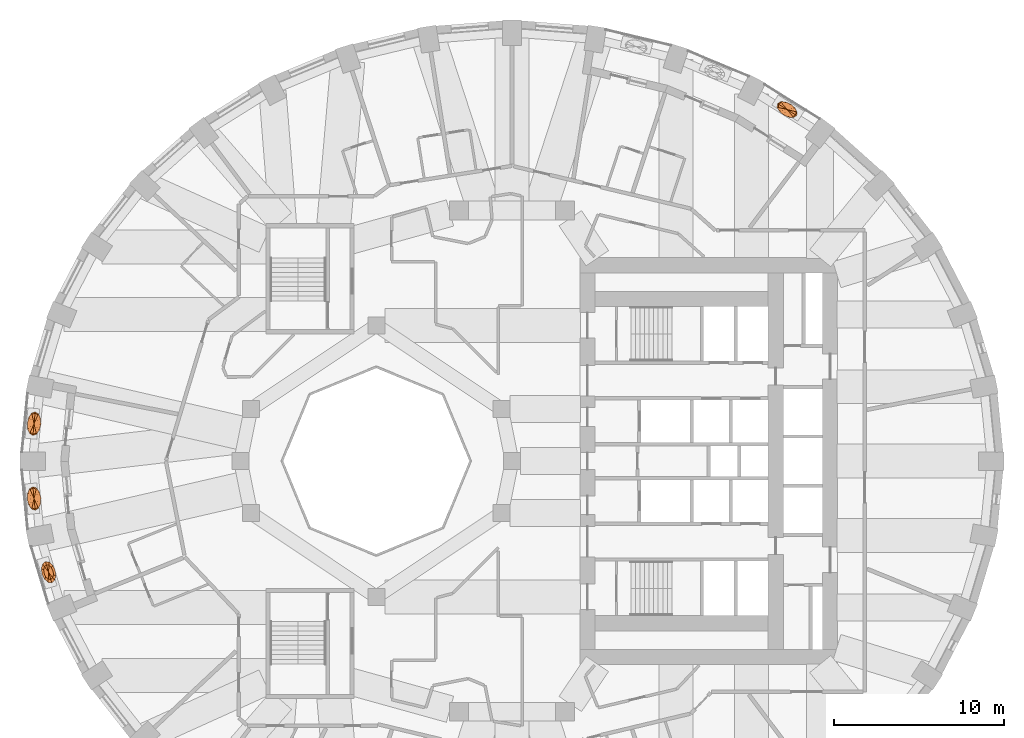
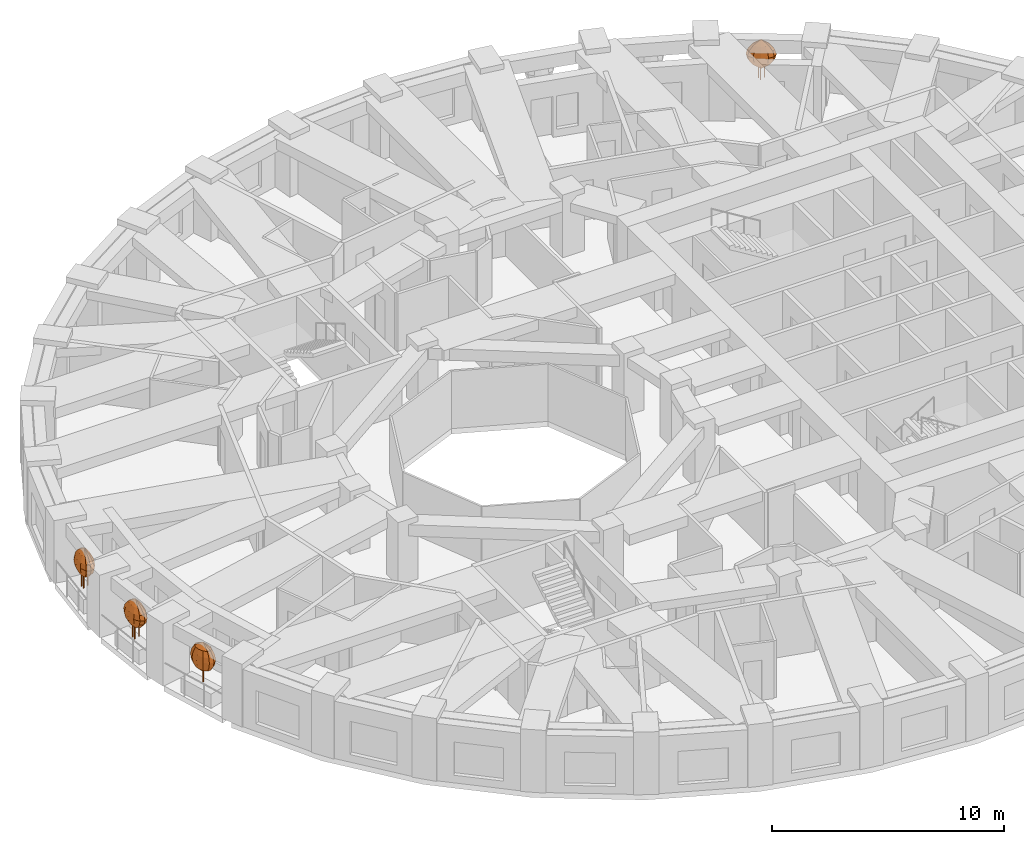
# One storey, part 13 of 14: 4 geographic elements.
"""IFC4 building model written with IfcOpenShell, lengths in metres."""

from ifc_helpers import new_model, si_unit, direction, frame, origin, place, context, subcontext, project, spatial, faceted_brep, material, constituent, constituent_set, type_object, element, save


model = new_model("IFC4")

# Units and contexts
model_context = context("Model", 3, precision=1e-05, world=origin(), true_north=direction((0.0, 1.0)))
body_context = subcontext(model_context, "Body", "Model", "MODEL_VIEW")
ifc_project = project(units=[si_unit("LENGTHUNIT", "METRE"), si_unit("AREAUNIT", "SQUARE_METRE"), si_unit("VOLUMEUNIT", "CUBIC_METRE"), si_unit("PLANEANGLEUNIT", "RADIAN"), si_unit("MASSUNIT", "GRAM", prefix="KILO")], contexts=[model_context])

# Site, building, storey
site_placement = place(None, origin())
site = spatial("IfcSite", under=ifc_project, at=site_placement, CompositionType="ELEMENT")
building_placement = place(site_placement, origin())
building = spatial("IfcBuilding", under=site, at=building_placement, Name="Taillehof Tower", CompositionType="ELEMENT")
storey_placement = place(building_placement, frame((0.0, 0.0, 25.0)))
storey = spatial("IfcBuildingStorey", under=building, at=storey_placement, Name="L05", CompositionType="ELEMENT", Elevation=25.0)

# Geographic elements
ifc_material_1 = material(Name="Tree bark", Category="timber")
ifc_constituent_1 = constituent(ifc_material_1, Name="Trunk", Category="timber")
ifc_material_2 = material(Name="Tree foliage")
ifc_constituent_2 = constituent(ifc_material_2, Name="Crown")
ifc_constituent_set_1 = constituent_set(constituents=[ifc_constituent_1, ifc_constituent_2], Name="Tree TR1 Columnar hornbeam")
geographic_element_type_1 = type_object("IfcGeographicElementType", Name="Tree TR1 Columnar hornbeam", PredefinedType="USERDEFINED", material=ifc_constituent_set_1)
geographic_element_1_placement = place(storey_placement, frame((-27.314697265625, -6.548583984375, 0.75)))
element("IfcGeographicElement", 1, at=geographic_element_1_placement, inside=storey, type_object=geographic_element_type_1, Name="Tree TR1 Columnar hornbeam", ObjectType="TREE", PredefinedType="USERDEFINED", context=body_context, shape_type="Brep", body=[
    faceted_brep([(0.030029296875, 0.0, 0.0), (0.021240234375, 0.021240234375, 0.0), (0.021240234375, 0.021240234375, 1.092529296875), (0.030029296875, 0.0, 1.092529296875), (0.0, 0.030029296875, 0.0), (0.0, 0.030029296875, 1.092529296875), (-0.021240234375, 0.021240234375, 0.0), (-0.021240234375, 0.021240234375, 1.092529296875), (-0.030029296875, 0.0, 0.0), (-0.030029296875, 0.0, 1.092529296875), (-0.021240234375, -0.021240234375, 0.0), (-0.021240234375, -0.021240234375, 1.092529296875), (0.0, -0.030029296875, 0.0), (0.0, -0.030029296875, 1.092529296875), (0.021240234375, -0.021240234375, 0.0), (0.021240234375, -0.021240234375, 1.092529296875)], [[[0, 1, 2, 3]], [[1, 4, 5, 2]], [[4, 6, 7, 5]], [[6, 8, 9, 7]], [[8, 10, 11, 9]], [[10, 12, 13, 11]], [[12, 14, 15, 13]], [[14, 0, 3, 15]], [[14, 12, 10, 8, 6, 4, 1, 0]], [[3, 2, 5, 7, 9, 11, 13, 15]]]),
    faceted_brep([(0.0, 0.0, 0.550048828125), (0.2412109375, -0.3291015625, 0.808349609375), (0.12744140625, -0.42529296875, 0.808349609375), (0.290283203125, -0.144775390625, 0.808349609375), (0.26171875, 0.078369140625, 0.808349609375), (0.162841796875, 0.280517578125, 0.808349609375), (0.0205078125, 0.407470703125, 0.808349609375), (-0.12744140625, 0.42529296875, 0.808349609375), (-0.2412109375, 0.3291015625, 0.808349609375), (-0.290283203125, 0.144775390625, 0.808349609375), (-0.26171875, -0.078369140625, 0.808349609375), (-0.162841796875, -0.280517578125, 0.808349609375), (-0.0205078125, -0.407470703125, 0.808349609375), (0.326416015625, -0.445068359375, 1.066650390625), (0.17236328125, -0.5751953125, 1.066650390625), (0.392822265625, -0.19580078125, 1.066650390625), (0.35400390625, 0.106201171875, 1.066650390625), (0.220458984375, 0.379638671875, 1.066650390625), (0.027587890625, 0.55126953125, 1.066650390625), (-0.17236328125, 0.5751953125, 1.066650390625), (-0.326416015625, 0.445068359375, 1.066650390625), (-0.392822265625, 0.19580078125, 1.066650390625), (-0.35400390625, -0.106201171875, 1.066650390625), (-0.220458984375, -0.379638671875, 1.066650390625), (-0.027587890625, -0.55126953125, 1.066650390625), (0.353271484375, -0.481689453125, 1.324951171875), (0.1865234375, -0.62255859375, 1.324951171875), (0.425048828125, -0.2119140625, 1.324951171875), (0.383056640625, 0.11474609375, 1.324951171875), (0.238525390625, 0.410888671875, 1.324951171875), (0.030029296875, 0.5966796875, 1.324951171875), (-0.1865234375, 0.62255859375, 1.324951171875), (-0.353271484375, 0.481689453125, 1.324951171875), (-0.425048828125, 0.2119140625, 1.324951171875), (-0.383056640625, -0.11474609375, 1.324951171875), (-0.238525390625, -0.410888671875, 1.324951171875), (-0.030029296875, -0.5966796875, 1.324951171875), (0.326416015625, -0.445068359375, 1.583251953125), (0.17236328125, -0.5751953125, 1.583251953125), (0.392822265625, -0.19580078125, 1.583251953125), (0.35400390625, 0.106201171875, 1.583251953125), (0.220458984375, 0.379638671875, 1.583251953125), (0.027587890625, 0.55126953125, 1.583251953125), (-0.17236328125, 0.5751953125, 1.583251953125), (-0.326416015625, 0.445068359375, 1.583251953125), (-0.392822265625, 0.19580078125, 1.583251953125), (-0.35400390625, -0.106201171875, 1.583251953125), (-0.220458984375, -0.379638671875, 1.583251953125), (-0.027587890625, -0.55126953125, 1.583251953125), (0.2412109375, -0.3291015625, 1.841552734375), (0.12744140625, -0.42529296875, 1.841552734375), (0.290283203125, -0.144775390625, 1.841552734375), (0.26171875, 0.078369140625, 1.841552734375), (0.162841796875, 0.280517578125, 1.841552734375), (0.0205078125, 0.407470703125, 1.841552734375), (-0.12744140625, 0.42529296875, 1.841552734375), (-0.2412109375, 0.3291015625, 1.841552734375), (-0.290283203125, 0.144775390625, 1.841552734375), (-0.26171875, -0.078369140625, 1.841552734375), (-0.162841796875, -0.280517578125, 1.841552734375), (-0.0205078125, -0.407470703125, 1.841552734375), (0.0, 0.0, 2.10009765625)], [[[0, 1, 2]], [[0, 3, 1]], [[0, 4, 3]], [[0, 5, 4]], [[0, 6, 5]], [[0, 7, 6]], [[0, 8, 7]], [[0, 9, 8]], [[0, 10, 9]], [[0, 11, 10]], [[0, 12, 11]], [[0, 2, 12]], [[2, 1, 13, 14]], [[1, 3, 15, 13]], [[3, 4, 16, 15]], [[4, 5, 17, 16]], [[5, 6, 18, 17]], [[6, 7, 19, 18]], [[7, 8, 20, 19]], [[8, 9, 21, 20]], [[9, 10, 22, 21]], [[10, 11, 23, 22]], [[11, 12, 24, 23]], [[12, 2, 14, 24]], [[14, 13, 25, 26]], [[13, 15, 27, 25]], [[15, 16, 28, 27]], [[16, 17, 29, 28]], [[17, 18, 30, 29]], [[18, 19, 31, 30]], [[19, 20, 32, 31]], [[20, 21, 33, 32]], [[21, 22, 34, 33]], [[22, 23, 35, 34]], [[23, 24, 36, 35]], [[24, 14, 26, 36]], [[26, 25, 37, 38]], [[25, 27, 39, 37]], [[27, 28, 40, 39]], [[28, 29, 41, 40]], [[29, 30, 42, 41]], [[30, 31, 43, 42]], [[31, 32, 44, 43]], [[32, 33, 45, 44]], [[33, 34, 46, 45]], [[34, 35, 47, 46]], [[35, 36, 48, 47]], [[36, 26, 38, 48]], [[38, 37, 49, 50]], [[37, 39, 51, 49]], [[39, 40, 52, 51]], [[40, 41, 53, 52]], [[41, 42, 54, 53]], [[42, 43, 55, 54]], [[43, 44, 56, 55]], [[44, 45, 57, 56]], [[45, 46, 58, 57]], [[46, 47, 59, 58]], [[47, 48, 60, 59]], [[48, 38, 50, 60]], [[50, 49, 61]], [[49, 51, 61]], [[51, 52, 61]], [[52, 53, 61]], [[53, 54, 61]], [[54, 55, 61]], [[55, 56, 61]], [[56, 57, 61]], [[57, 58, 61]], [[58, 59, 61]], [[59, 60, 61]], [[60, 50, 61]]]),
])
ifc_material_3 = material(Name="Tree bark", Category="timber")
ifc_constituent_3 = constituent(ifc_material_3, Name="Trunk", Category="timber")
ifc_material_4 = material(Name="Tree foliage")
ifc_constituent_4 = constituent(ifc_material_4, Name="Crown")
ifc_constituent_set_2 = constituent_set(constituents=[ifc_constituent_3, ifc_constituent_4], Name="Tree TR3 Multi-stem serviceberry")
geographic_element_type_2 = type_object("IfcGeographicElementType", Name="Tree TR3 Multi-stem serviceberry", PredefinedType="USERDEFINED", material=ifc_constituent_set_2)
geographic_element_2_placement = place(storey_placement, frame((16.2158203125, 20.720703125, 0.75)))
element("IfcGeographicElement", 2, at=geographic_element_2_placement, inside=storey, type_object=geographic_element_type_2, Name="Tree TR3 Multi-stem serviceberry", ObjectType="TREE", PredefinedType="USERDEFINED", context=body_context, shape_type="Brep", body=[
    faceted_brep([(0.195068359375, 0.0, 0.0), (0.186767578125, 0.0205078125, 0.0), (0.186767578125, 0.0205078125, 1.04248046875), (0.195068359375, 0.0, 1.04248046875), (0.166259765625, 0.02880859375, 0.0), (0.166259765625, 0.02880859375, 1.04248046875), (0.145751953125, 0.0205078125, 0.0), (0.145751953125, 0.0205078125, 1.04248046875), (0.137451171875, 0.0, 0.0), (0.137451171875, 0.0, 1.04248046875), (0.145751953125, -0.0205078125, 0.0), (0.145751953125, -0.0205078125, 1.04248046875), (0.166259765625, -0.02880859375, 0.0), (0.166259765625, -0.02880859375, 1.04248046875), (0.186767578125, -0.0205078125, 0.0), (0.186767578125, -0.0205078125, 1.04248046875)], [[[0, 1, 2, 3]], [[1, 4, 5, 2]], [[4, 6, 7, 5]], [[6, 8, 9, 7]], [[8, 10, 11, 9]], [[10, 12, 13, 11]], [[12, 14, 15, 13]], [[14, 0, 3, 15]], [[14, 12, 10, 8, 6, 4, 1, 0]], [[3, 2, 5, 7, 9, 11, 13, 15]]]),
    faceted_brep([(-0.05419921875, 0.082275390625, 0.0), (-0.062744140625, 0.102783203125, 0.0), (-0.062744140625, 0.102783203125, 1.04248046875), (-0.05419921875, 0.082275390625, 1.04248046875), (-0.0830078125, 0.111083984375, 0.0), (-0.0830078125, 0.111083984375, 1.04248046875), (-0.103515625, 0.102783203125, 0.0), (-0.103515625, 0.102783203125, 1.04248046875), (-0.112060546875, 0.082275390625, 0.0), (-0.112060546875, 0.082275390625, 1.04248046875), (-0.103515625, 0.061767578125, 0.0), (-0.103515625, 0.061767578125, 1.04248046875), (-0.0830078125, 0.053466796875, 0.0), (-0.0830078125, 0.053466796875, 1.04248046875), (-0.062744140625, 0.061767578125, 0.0), (-0.062744140625, 0.061767578125, 1.04248046875)], [[[0, 1, 2, 3]], [[1, 4, 5, 2]], [[4, 6, 7, 5]], [[6, 8, 9, 7]], [[8, 10, 11, 9]], [[10, 12, 13, 11]], [[12, 14, 15, 13]], [[14, 0, 3, 15]], [[14, 12, 10, 8, 6, 4, 1, 0]], [[3, 2, 5, 7, 9, 11, 13, 15]]]),
    faceted_brep([(-0.05419921875, -0.082275390625, 0.0), (-0.062744140625, -0.061767578125, 0.0), (-0.062744140625, -0.061767578125, 1.04248046875), (-0.05419921875, -0.082275390625, 1.04248046875), (-0.0830078125, -0.053466796875, 0.0), (-0.0830078125, -0.053466796875, 1.04248046875), (-0.103515625, -0.061767578125, 0.0), (-0.103515625, -0.061767578125, 1.04248046875), (-0.112060546875, -0.082275390625, 0.0), (-0.112060546875, -0.082275390625, 1.04248046875), (-0.103515625, -0.102783203125, 0.0), (-0.103515625, -0.102783203125, 1.04248046875), (-0.0830078125, -0.111083984375, 0.0), (-0.0830078125, -0.111083984375, 1.04248046875), (-0.062744140625, -0.102783203125, 0.0), (-0.062744140625, -0.102783203125, 1.04248046875)], [[[0, 1, 2, 3]], [[1, 4, 5, 2]], [[4, 6, 7, 5]], [[6, 8, 9, 7]], [[8, 10, 11, 9]], [[10, 12, 13, 11]], [[12, 14, 15, 13]], [[14, 0, 3, 15]], [[14, 12, 10, 8, 6, 4, 1, 0]], [[3, 2, 5, 7, 9, 11, 13, 15]]]),
    faceted_brep([(0.0, 0.0, 0.5), (-0.33837890625, 0.0830078125, 0.75830078125), (-0.32373046875, 0.20263671875, 0.75830078125), (-0.26220703125, -0.058837890625, 0.75830078125), (-0.11572265625, -0.18505859375, 0.75830078125), (0.0615234375, -0.261474609375, 0.75830078125), (0.222412109375, -0.26806640625, 0.75830078125), (0.32373046875, -0.20263671875, 0.75830078125), (0.33837890625, -0.0830078125, 0.75830078125), (0.26220703125, 0.058837890625, 0.75830078125), (0.11572265625, 0.18505859375, 0.75830078125), (-0.0615234375, 0.261474609375, 0.75830078125), (-0.222412109375, 0.26806640625, 0.75830078125), (-0.52490234375, 0.12890625, 1.0166015625), (-0.50244140625, 0.314453125, 1.0166015625), (-0.40673828125, -0.09130859375, 1.0166015625), (-0.1796875, -0.287109375, 1.0166015625), (0.095703125, -0.40576171875, 1.0166015625), (0.34521484375, -0.415771484375, 1.0166015625), (0.50244140625, -0.314453125, 1.0166015625), (0.52490234375, -0.12890625, 1.0166015625), (0.40673828125, 0.09130859375, 1.0166015625), (0.1796875, 0.287109375, 1.0166015625), (-0.095703125, 0.40576171875, 1.0166015625), (-0.34521484375, 0.415771484375, 1.0166015625), (-0.5888671875, 0.14453125, 1.27490234375), (-0.563720703125, 0.352783203125, 1.27490234375), (-0.45654296875, -0.1025390625, 1.27490234375), (-0.20166015625, -0.322021484375, 1.27490234375), (0.107177734375, -0.455322265625, 1.27490234375), (0.387451171875, -0.466552734375, 1.27490234375), (0.563720703125, -0.352783203125, 1.27490234375), (0.5888671875, -0.14453125, 1.27490234375), (0.45654296875, 0.1025390625, 1.27490234375), (0.20166015625, 0.322021484375, 1.27490234375), (-0.107177734375, 0.455322265625, 1.27490234375), (-0.387451171875, 0.466552734375, 1.27490234375), (-0.52490234375, 0.12890625, 1.533447265625), (-0.50244140625, 0.314453125, 1.533447265625), (-0.40673828125, -0.09130859375, 1.533447265625), (-0.1796875, -0.287109375, 1.533447265625), (0.095703125, -0.40576171875, 1.533447265625), (0.34521484375, -0.415771484375, 1.533447265625), (0.50244140625, -0.314453125, 1.533447265625), (0.52490234375, -0.12890625, 1.533447265625), (0.40673828125, 0.09130859375, 1.533447265625), (0.1796875, 0.287109375, 1.533447265625), (-0.095703125, 0.40576171875, 1.533447265625), (-0.34521484375, 0.415771484375, 1.533447265625), (-0.33837890625, 0.0830078125, 1.791748046875), (-0.32373046875, 0.20263671875, 1.791748046875), (-0.26220703125, -0.058837890625, 1.791748046875), (-0.11572265625, -0.18505859375, 1.791748046875), (0.0615234375, -0.261474609375, 1.791748046875), (0.222412109375, -0.26806640625, 1.791748046875), (0.32373046875, -0.20263671875, 1.791748046875), (0.33837890625, -0.0830078125, 1.791748046875), (0.26220703125, 0.058837890625, 1.791748046875), (0.11572265625, 0.18505859375, 1.791748046875), (-0.0615234375, 0.261474609375, 1.791748046875), (-0.222412109375, 0.26806640625, 1.791748046875), (0.0, 0.0, 2.050048828125)], [[[0, 1, 2]], [[0, 3, 1]], [[0, 4, 3]], [[0, 5, 4]], [[0, 6, 5]], [[0, 7, 6]], [[0, 8, 7]], [[0, 9, 8]], [[0, 10, 9]], [[0, 11, 10]], [[0, 12, 11]], [[0, 2, 12]], [[2, 1, 13, 14]], [[1, 3, 15, 13]], [[3, 4, 16, 15]], [[4, 5, 17, 16]], [[5, 6, 18, 17]], [[6, 7, 19, 18]], [[7, 8, 20, 19]], [[8, 9, 21, 20]], [[9, 10, 22, 21]], [[10, 11, 23, 22]], [[11, 12, 24, 23]], [[12, 2, 14, 24]], [[14, 13, 25, 26]], [[13, 15, 27, 25]], [[15, 16, 28, 27]], [[16, 17, 29, 28]], [[17, 18, 30, 29]], [[18, 19, 31, 30]], [[19, 20, 32, 31]], [[20, 21, 33, 32]], [[21, 22, 34, 33]], [[22, 23, 35, 34]], [[23, 24, 36, 35]], [[24, 14, 26, 36]], [[26, 25, 37, 38]], [[25, 27, 39, 37]], [[27, 28, 40, 39]], [[28, 29, 41, 40]], [[29, 30, 42, 41]], [[30, 31, 43, 42]], [[31, 32, 44, 43]], [[32, 33, 45, 44]], [[33, 34, 46, 45]], [[34, 35, 47, 46]], [[35, 36, 48, 47]], [[36, 26, 38, 48]], [[38, 37, 49, 50]], [[37, 39, 51, 49]], [[39, 40, 52, 51]], [[40, 41, 53, 52]], [[41, 42, 54, 53]], [[42, 43, 55, 54]], [[43, 44, 56, 55]], [[44, 45, 57, 56]], [[45, 46, 58, 57]], [[46, 47, 59, 58]], [[47, 48, 60, 59]], [[48, 38, 50, 60]], [[50, 49, 61]], [[49, 51, 61]], [[51, 52, 61]], [[52, 53, 61]], [[53, 54, 61]], [[54, 55, 61]], [[55, 56, 61]], [[56, 57, 61]], [[57, 58, 61]], [[58, 59, 61]], [[59, 60, 61]], [[60, 50, 61]]]),
])
geographic_element_3_placement = place(storey_placement, frame((-28.17138671875, 2.205322265625, 0.75)))
element("IfcGeographicElement", 3, at=geographic_element_3_placement, inside=storey, type_object=geographic_element_type_2, Name="Tree TR3 Multi-stem serviceberry", ObjectType="TREE", PredefinedType="USERDEFINED", context=body_context, shape_type="Brep", body=[
    faceted_brep([(0.203857421875, 0.0, 0.0), (0.1953125, 0.0205078125, 0.0), (0.1953125, 0.0205078125, 1.04248046875), (0.203857421875, 0.0, 1.04248046875), (0.175048828125, 0.02880859375, 0.0), (0.175048828125, 0.02880859375, 1.04248046875), (0.154541015625, 0.0205078125, 0.0), (0.154541015625, 0.0205078125, 1.04248046875), (0.146240234375, 0.0, 0.0), (0.146240234375, 0.0, 1.04248046875), (0.154541015625, -0.0205078125, 0.0), (0.154541015625, -0.0205078125, 1.04248046875), (0.175048828125, -0.02880859375, 0.0), (0.175048828125, -0.02880859375, 1.04248046875), (0.1953125, -0.0205078125, 0.0), (0.1953125, -0.0205078125, 1.04248046875)], [[[0, 1, 2, 3]], [[1, 4, 5, 2]], [[4, 6, 7, 5]], [[6, 8, 9, 7]], [[8, 10, 11, 9]], [[10, 12, 13, 11]], [[12, 14, 15, 13]], [[14, 0, 3, 15]], [[14, 12, 10, 8, 6, 4, 1, 0]], [[3, 2, 5, 7, 9, 11, 13, 15]]]),
    faceted_brep([(-0.05859375, 0.086669921875, 0.0), (-0.067138671875, 0.10693359375, 0.0), (-0.067138671875, 0.10693359375, 1.04248046875), (-0.05859375, 0.086669921875, 1.04248046875), (-0.08740234375, 0.115478515625, 0.0), (-0.08740234375, 0.115478515625, 1.04248046875), (-0.10791015625, 0.10693359375, 0.0), (-0.10791015625, 0.10693359375, 1.04248046875), (-0.116455078125, 0.086669921875, 0.0), (-0.116455078125, 0.086669921875, 1.04248046875), (-0.10791015625, 0.066162109375, 0.0), (-0.10791015625, 0.066162109375, 1.04248046875), (-0.08740234375, 0.0576171875, 0.0), (-0.08740234375, 0.0576171875, 1.04248046875), (-0.067138671875, 0.066162109375, 0.0), (-0.067138671875, 0.066162109375, 1.04248046875)], [[[0, 1, 2, 3]], [[1, 4, 5, 2]], [[4, 6, 7, 5]], [[6, 8, 9, 7]], [[8, 10, 11, 9]], [[10, 12, 13, 11]], [[12, 14, 15, 13]], [[14, 0, 3, 15]], [[14, 12, 10, 8, 6, 4, 1, 0]], [[3, 2, 5, 7, 9, 11, 13, 15]]]),
    faceted_brep([(-0.05859375, -0.086669921875, 0.0), (-0.067138671875, -0.066162109375, 0.0), (-0.067138671875, -0.066162109375, 1.04248046875), (-0.05859375, -0.086669921875, 1.04248046875), (-0.08740234375, -0.0576171875, 0.0), (-0.08740234375, -0.0576171875, 1.04248046875), (-0.10791015625, -0.066162109375, 0.0), (-0.10791015625, -0.066162109375, 1.04248046875), (-0.116455078125, -0.086669921875, 0.0), (-0.116455078125, -0.086669921875, 1.04248046875), (-0.10791015625, -0.10693359375, 0.0), (-0.10791015625, -0.10693359375, 1.04248046875), (-0.08740234375, -0.115478515625, 0.0), (-0.08740234375, -0.115478515625, 1.04248046875), (-0.067138671875, -0.10693359375, 0.0), (-0.067138671875, -0.10693359375, 1.04248046875)], [[[0, 1, 2, 3]], [[1, 4, 5, 2]], [[4, 6, 7, 5]], [[6, 8, 9, 7]], [[8, 10, 11, 9]], [[10, 12, 13, 11]], [[12, 14, 15, 13]], [[14, 0, 3, 15]], [[14, 12, 10, 8, 6, 4, 1, 0]], [[3, 2, 5, 7, 9, 11, 13, 15]]]),
    faceted_brep([(0.0, 0.0, 0.5), (0.080322265625, -0.357666015625, 0.75830078125), (-0.0390625, -0.400146484375, 0.75830078125), (0.178466796875, -0.219482421875, 0.75830078125), (0.228759765625, -0.0224609375, 0.75830078125), (0.217529296875, 0.1806640625, 0.75830078125), (0.148193359375, 0.33544921875, 0.75830078125), (0.0390625, 0.400146484375, 0.75830078125), (-0.080322265625, 0.357666015625, 0.75830078125), (-0.178466796875, 0.219482421875, 0.75830078125), (-0.228759765625, 0.0224609375, 0.75830078125), (-0.217529296875, -0.1806640625, 0.75830078125), (-0.148193359375, -0.33544921875, 0.75830078125), (0.124755859375, -0.55517578125, 1.0166015625), (-0.060791015625, -0.620849609375, 1.0166015625), (0.27685546875, -0.340576171875, 1.0166015625), (0.354736328125, -0.03466796875, 1.0166015625), (0.337646484375, 0.280517578125, 1.0166015625), (0.22998046875, 0.5205078125, 1.0166015625), (0.060791015625, 0.620849609375, 1.0166015625), (-0.124755859375, 0.55517578125, 1.0166015625), (-0.27685546875, 0.340576171875, 1.0166015625), (-0.354736328125, 0.03466796875, 1.0166015625), (-0.337646484375, -0.280517578125, 1.0166015625), (-0.22998046875, -0.5205078125, 1.0166015625), (0.139892578125, -0.622802734375, 1.27490234375), (-0.068115234375, -0.69677734375, 1.27490234375), (0.310791015625, -0.382080078125, 1.27490234375), (0.398193359375, -0.0390625, 1.27490234375), (0.37890625, 0.314697265625, 1.27490234375), (0.258056640625, 0.583740234375, 1.27490234375), (0.068115234375, 0.69677734375, 1.27490234375), (-0.139892578125, 0.622802734375, 1.27490234375), (-0.310791015625, 0.382080078125, 1.27490234375), (-0.398193359375, 0.0390625, 1.27490234375), (-0.37890625, -0.314697265625, 1.27490234375), (-0.258056640625, -0.583740234375, 1.27490234375), (0.124755859375, -0.55517578125, 1.533447265625), (-0.060791015625, -0.620849609375, 1.533447265625), (0.27685546875, -0.340576171875, 1.533447265625), (0.354736328125, -0.03466796875, 1.533447265625), (0.337646484375, 0.280517578125, 1.533447265625), (0.22998046875, 0.5205078125, 1.533447265625), (0.060791015625, 0.620849609375, 1.533447265625), (-0.124755859375, 0.55517578125, 1.533447265625), (-0.27685546875, 0.340576171875, 1.533447265625), (-0.354736328125, 0.03466796875, 1.533447265625), (-0.337646484375, -0.280517578125, 1.533447265625), (-0.22998046875, -0.5205078125, 1.533447265625), (0.080322265625, -0.357666015625, 1.791748046875), (-0.0390625, -0.400146484375, 1.791748046875), (0.178466796875, -0.219482421875, 1.791748046875), (0.228759765625, -0.0224609375, 1.791748046875), (0.217529296875, 0.1806640625, 1.791748046875), (0.148193359375, 0.33544921875, 1.791748046875), (0.0390625, 0.400146484375, 1.791748046875), (-0.080322265625, 0.357666015625, 1.791748046875), (-0.178466796875, 0.219482421875, 1.791748046875), (-0.228759765625, 0.0224609375, 1.791748046875), (-0.217529296875, -0.1806640625, 1.791748046875), (-0.148193359375, -0.33544921875, 1.791748046875), (0.0, 0.0, 2.050048828125)], [[[0, 1, 2]], [[0, 3, 1]], [[0, 4, 3]], [[0, 5, 4]], [[0, 6, 5]], [[0, 7, 6]], [[0, 8, 7]], [[0, 9, 8]], [[0, 10, 9]], [[0, 11, 10]], [[0, 12, 11]], [[0, 2, 12]], [[2, 1, 13, 14]], [[1, 3, 15, 13]], [[3, 4, 16, 15]], [[4, 5, 17, 16]], [[5, 6, 18, 17]], [[6, 7, 19, 18]], [[7, 8, 20, 19]], [[8, 9, 21, 20]], [[9, 10, 22, 21]], [[10, 11, 23, 22]], [[11, 12, 24, 23]], [[12, 2, 14, 24]], [[14, 13, 25, 26]], [[13, 15, 27, 25]], [[15, 16, 28, 27]], [[16, 17, 29, 28]], [[17, 18, 30, 29]], [[18, 19, 31, 30]], [[19, 20, 32, 31]], [[20, 21, 33, 32]], [[21, 22, 34, 33]], [[22, 23, 35, 34]], [[23, 24, 36, 35]], [[24, 14, 26, 36]], [[26, 25, 37, 38]], [[25, 27, 39, 37]], [[27, 28, 40, 39]], [[28, 29, 41, 40]], [[29, 30, 42, 41]], [[30, 31, 43, 42]], [[31, 32, 44, 43]], [[32, 33, 45, 44]], [[33, 34, 46, 45]], [[34, 35, 47, 46]], [[35, 36, 48, 47]], [[36, 26, 38, 48]], [[38, 37, 49, 50]], [[37, 39, 51, 49]], [[39, 40, 52, 51]], [[40, 41, 53, 52]], [[41, 42, 54, 53]], [[42, 43, 55, 54]], [[43, 44, 56, 55]], [[44, 45, 57, 56]], [[45, 46, 58, 57]], [[46, 47, 59, 58]], [[47, 48, 60, 59]], [[48, 38, 50, 60]], [[50, 49, 61]], [[49, 51, 61]], [[51, 52, 61]], [[52, 53, 61]], [[53, 54, 61]], [[54, 55, 61]], [[55, 56, 61]], [[56, 57, 61]], [[57, 58, 61]], [[58, 59, 61]], [[59, 60, 61]], [[60, 50, 61]]]),
])
geographic_element_4_placement = place(storey_placement, frame((-28.17138671875, -2.205322265625, 0.75)))
element("IfcGeographicElement", 4, at=geographic_element_4_placement, inside=storey, type_object=geographic_element_type_2, Name="Tree TR3 Multi-stem serviceberry", ObjectType="TREE", PredefinedType="USERDEFINED", context=body_context, shape_type="Brep", body=[
    faceted_brep([(0.203857421875, 0.0, 0.0), (0.1953125, 0.0205078125, 0.0), (0.1953125, 0.0205078125, 1.04248046875), (0.203857421875, 0.0, 1.04248046875), (0.175048828125, 0.02880859375, 0.0), (0.175048828125, 0.02880859375, 1.04248046875), (0.154541015625, 0.0205078125, 0.0), (0.154541015625, 0.0205078125, 1.04248046875), (0.146240234375, 0.0, 0.0), (0.146240234375, 0.0, 1.04248046875), (0.154541015625, -0.0205078125, 0.0), (0.154541015625, -0.0205078125, 1.04248046875), (0.175048828125, -0.02880859375, 0.0), (0.175048828125, -0.02880859375, 1.04248046875), (0.1953125, -0.0205078125, 0.0), (0.1953125, -0.0205078125, 1.04248046875)], [[[0, 1, 2, 3]], [[1, 4, 5, 2]], [[4, 6, 7, 5]], [[6, 8, 9, 7]], [[8, 10, 11, 9]], [[10, 12, 13, 11]], [[12, 14, 15, 13]], [[14, 0, 3, 15]], [[14, 12, 10, 8, 6, 4, 1, 0]], [[3, 2, 5, 7, 9, 11, 13, 15]]]),
    faceted_brep([(-0.05859375, 0.086669921875, 0.0), (-0.067138671875, 0.10693359375, 0.0), (-0.067138671875, 0.10693359375, 1.04248046875), (-0.05859375, 0.086669921875, 1.04248046875), (-0.08740234375, 0.115478515625, 0.0), (-0.08740234375, 0.115478515625, 1.04248046875), (-0.10791015625, 0.10693359375, 0.0), (-0.10791015625, 0.10693359375, 1.04248046875), (-0.116455078125, 0.086669921875, 0.0), (-0.116455078125, 0.086669921875, 1.04248046875), (-0.10791015625, 0.066162109375, 0.0), (-0.10791015625, 0.066162109375, 1.04248046875), (-0.08740234375, 0.0576171875, 0.0), (-0.08740234375, 0.0576171875, 1.04248046875), (-0.067138671875, 0.066162109375, 0.0), (-0.067138671875, 0.066162109375, 1.04248046875)], [[[0, 1, 2, 3]], [[1, 4, 5, 2]], [[4, 6, 7, 5]], [[6, 8, 9, 7]], [[8, 10, 11, 9]], [[10, 12, 13, 11]], [[12, 14, 15, 13]], [[14, 0, 3, 15]], [[14, 12, 10, 8, 6, 4, 1, 0]], [[3, 2, 5, 7, 9, 11, 13, 15]]]),
    faceted_brep([(-0.05859375, -0.086669921875, 0.0), (-0.067138671875, -0.066162109375, 0.0), (-0.067138671875, -0.066162109375, 1.04248046875), (-0.05859375, -0.086669921875, 1.04248046875), (-0.08740234375, -0.0576171875, 0.0), (-0.08740234375, -0.0576171875, 1.04248046875), (-0.10791015625, -0.066162109375, 0.0), (-0.10791015625, -0.066162109375, 1.04248046875), (-0.116455078125, -0.086669921875, 0.0), (-0.116455078125, -0.086669921875, 1.04248046875), (-0.10791015625, -0.10693359375, 0.0), (-0.10791015625, -0.10693359375, 1.04248046875), (-0.08740234375, -0.115478515625, 0.0), (-0.08740234375, -0.115478515625, 1.04248046875), (-0.067138671875, -0.10693359375, 0.0), (-0.067138671875, -0.10693359375, 1.04248046875)], [[[0, 1, 2, 3]], [[1, 4, 5, 2]], [[4, 6, 7, 5]], [[6, 8, 9, 7]], [[8, 10, 11, 9]], [[10, 12, 13, 11]], [[12, 14, 15, 13]], [[14, 0, 3, 15]], [[14, 12, 10, 8, 6, 4, 1, 0]], [[3, 2, 5, 7, 9, 11, 13, 15]]]),
    faceted_brep([(0.0, 0.0, 0.5), (0.148193359375, -0.33544921875, 0.75830078125), (0.0390625, -0.400146484375, 0.75830078125), (0.217529296875, -0.1806640625, 0.75830078125), (0.228759765625, 0.0224609375, 0.75830078125), (0.178466796875, 0.219482421875, 0.75830078125), (0.080322265625, 0.357666015625, 0.75830078125), (-0.0390625, 0.400146484375, 0.75830078125), (-0.148193359375, 0.33544921875, 0.75830078125), (-0.217529296875, 0.1806640625, 0.75830078125), (-0.228759765625, -0.0224609375, 0.75830078125), (-0.178466796875, -0.219482421875, 0.75830078125), (-0.080322265625, -0.357666015625, 0.75830078125), (0.22998046875, -0.5205078125, 1.0166015625), (0.060791015625, -0.620849609375, 1.0166015625), (0.337646484375, -0.280517578125, 1.0166015625), (0.354736328125, 0.03466796875, 1.0166015625), (0.27685546875, 0.340576171875, 1.0166015625), (0.124755859375, 0.55517578125, 1.0166015625), (-0.060791015625, 0.620849609375, 1.0166015625), (-0.22998046875, 0.5205078125, 1.0166015625), (-0.337646484375, 0.280517578125, 1.0166015625), (-0.354736328125, -0.03466796875, 1.0166015625), (-0.27685546875, -0.340576171875, 1.0166015625), (-0.124755859375, -0.55517578125, 1.0166015625), (0.258056640625, -0.583740234375, 1.27490234375), (0.068115234375, -0.69677734375, 1.27490234375), (0.37890625, -0.314697265625, 1.27490234375), (0.398193359375, 0.0390625, 1.27490234375), (0.310791015625, 0.382080078125, 1.27490234375), (0.139892578125, 0.622802734375, 1.27490234375), (-0.068115234375, 0.69677734375, 1.27490234375), (-0.258056640625, 0.583740234375, 1.27490234375), (-0.37890625, 0.314697265625, 1.27490234375), (-0.398193359375, -0.0390625, 1.27490234375), (-0.310791015625, -0.382080078125, 1.27490234375), (-0.139892578125, -0.622802734375, 1.27490234375), (0.22998046875, -0.5205078125, 1.533447265625), (0.060791015625, -0.620849609375, 1.533447265625), (0.337646484375, -0.280517578125, 1.533447265625), (0.354736328125, 0.03466796875, 1.533447265625), (0.27685546875, 0.340576171875, 1.533447265625), (0.124755859375, 0.55517578125, 1.533447265625), (-0.060791015625, 0.620849609375, 1.533447265625), (-0.22998046875, 0.5205078125, 1.533447265625), (-0.337646484375, 0.280517578125, 1.533447265625), (-0.354736328125, -0.03466796875, 1.533447265625), (-0.27685546875, -0.340576171875, 1.533447265625), (-0.124755859375, -0.55517578125, 1.533447265625), (0.148193359375, -0.33544921875, 1.791748046875), (0.0390625, -0.400146484375, 1.791748046875), (0.217529296875, -0.1806640625, 1.791748046875), (0.228759765625, 0.0224609375, 1.791748046875), (0.178466796875, 0.219482421875, 1.791748046875), (0.080322265625, 0.357666015625, 1.791748046875), (-0.0390625, 0.400146484375, 1.791748046875), (-0.148193359375, 0.33544921875, 1.791748046875), (-0.217529296875, 0.1806640625, 1.791748046875), (-0.228759765625, -0.0224609375, 1.791748046875), (-0.178466796875, -0.219482421875, 1.791748046875), (-0.080322265625, -0.357666015625, 1.791748046875), (0.0, 0.0, 2.050048828125)], [[[0, 1, 2]], [[0, 3, 1]], [[0, 4, 3]], [[0, 5, 4]], [[0, 6, 5]], [[0, 7, 6]], [[0, 8, 7]], [[0, 9, 8]], [[0, 10, 9]], [[0, 11, 10]], [[0, 12, 11]], [[0, 2, 12]], [[2, 1, 13, 14]], [[1, 3, 15, 13]], [[3, 4, 16, 15]], [[4, 5, 17, 16]], [[5, 6, 18, 17]], [[6, 7, 19, 18]], [[7, 8, 20, 19]], [[8, 9, 21, 20]], [[9, 10, 22, 21]], [[10, 11, 23, 22]], [[11, 12, 24, 23]], [[12, 2, 14, 24]], [[14, 13, 25, 26]], [[13, 15, 27, 25]], [[15, 16, 28, 27]], [[16, 17, 29, 28]], [[17, 18, 30, 29]], [[18, 19, 31, 30]], [[19, 20, 32, 31]], [[20, 21, 33, 32]], [[21, 22, 34, 33]], [[22, 23, 35, 34]], [[23, 24, 36, 35]], [[24, 14, 26, 36]], [[26, 25, 37, 38]], [[25, 27, 39, 37]], [[27, 28, 40, 39]], [[28, 29, 41, 40]], [[29, 30, 42, 41]], [[30, 31, 43, 42]], [[31, 32, 44, 43]], [[32, 33, 45, 44]], [[33, 34, 46, 45]], [[34, 35, 47, 46]], [[35, 36, 48, 47]], [[36, 26, 38, 48]], [[38, 37, 49, 50]], [[37, 39, 51, 49]], [[39, 40, 52, 51]], [[40, 41, 53, 52]], [[41, 42, 54, 53]], [[42, 43, 55, 54]], [[43, 44, 56, 55]], [[44, 45, 57, 56]], [[45, 46, 58, 57]], [[46, 47, 59, 58]], [[47, 48, 60, 59]], [[48, 38, 50, 60]], [[50, 49, 61]], [[49, 51, 61]], [[51, 52, 61]], [[52, 53, 61]], [[53, 54, 61]], [[54, 55, 61]], [[55, 56, 61]], [[56, 57, 61]], [[57, 58, 61]], [[58, 59, 61]], [[59, 60, 61]], [[60, 50, 61]]]),
])

save(model, "model.ifc")
